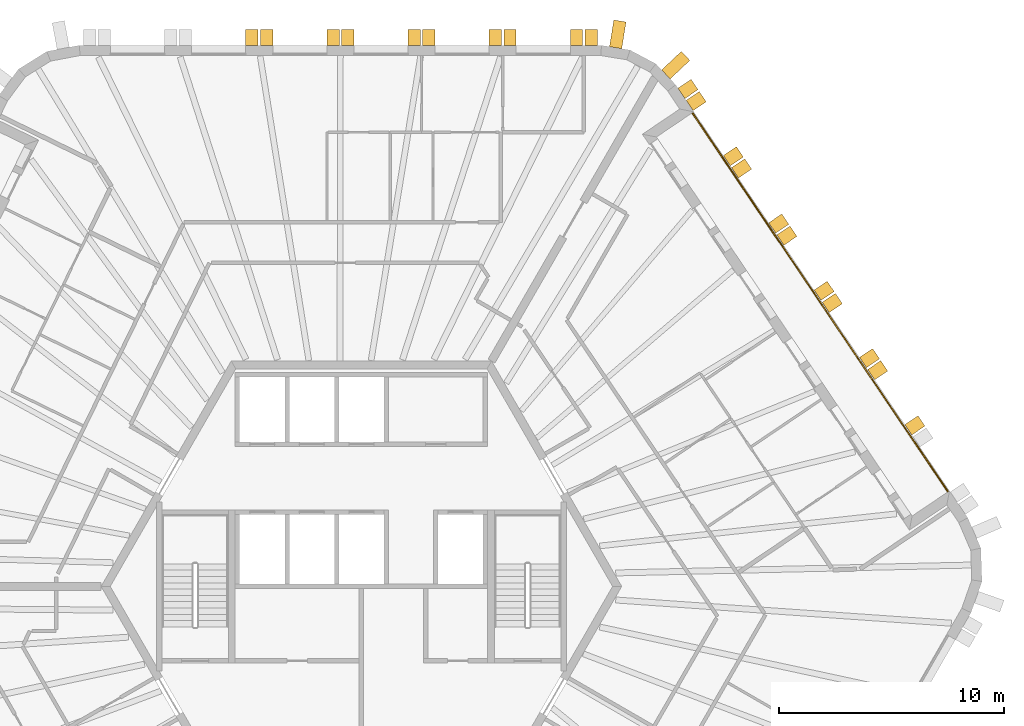
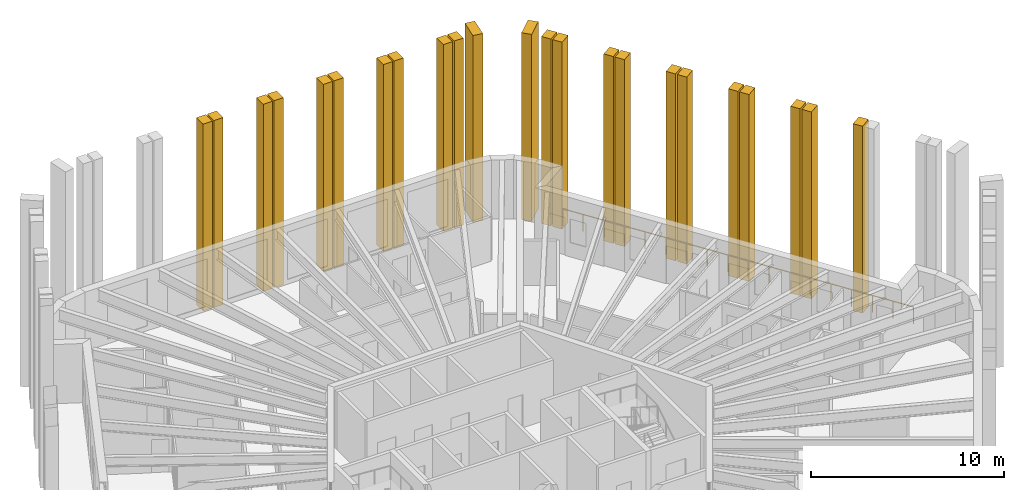
# One storey, part 12 of 12: 23 shading devices, 1 railing.
"""IFC4 building model written with IfcOpenShell, lengths in metres."""

from ifc_helpers import new_model, si_unit, direction, frame, origin, origin_2d, place, context, subcontext, project, spatial, polyline, circle, outline, extrude, material, layer, layer_set, type_object, element, save


model = new_model("IFC4")

# Units and contexts
model_context = context("Model", 3, precision=1e-05, world=origin(), true_north=direction((0.0, 1.0)))
body_context = subcontext(model_context, "Body", "Model", "MODEL_VIEW")
ifc_project = project(units=[si_unit("LENGTHUNIT", "METRE"), si_unit("AREAUNIT", "SQUARE_METRE"), si_unit("VOLUMEUNIT", "CUBIC_METRE"), si_unit("PLANEANGLEUNIT", "RADIAN"), si_unit("MASSUNIT", "GRAM", prefix="KILO")], contexts=[model_context])

# Site, building, storey
site_placement = place(None, origin())
site = spatial("IfcSite", under=ifc_project, at=site_placement, CompositionType="ELEMENT")
building_placement = place(site_placement, origin())
building = spatial("IfcBuilding", under=site, at=building_placement, Name="Tarnside Tower", CompositionType="ELEMENT")
storey_placement = place(building_placement, frame((0.0, 0.0, 349.5)))
storey = spatial("IfcBuildingStorey", under=building, at=storey_placement, Name="L84", CompositionType="ELEMENT", Elevation=349.5)

# Railing
ifc_material_1 = material(Name="Toughened glass", Category="glass")
railing_type = type_object("IfcRailingType", Name="Glass guard 1100", PredefinedType="GUARDRAIL", material=ifc_material_1)
railing_placement = place(storey_placement, frame((26.022216796875, 4.196533203125, 0.0)))
element("IfcRailing", 1, at=railing_placement, inside=storey, type_object=railing_type, Name="Loggia guard L84 F6", PredefinedType="GUARDRAIL", context=body_context, shape_type="SweptSolid", body=[
    extrude(circle(Radius=0.030029296875, at=origin_2d()), frame((0.0, 0.0, 1.070068359375), z_axis=(-0.559192274164, 0.829037997028, 0.0), x_axis=(-0.829037997028, -0.559192274164, 0.0)), (0.0, 0.0, 1.0), 20.281494140625),
    extrude(circle(Radius=0.02490234375, at=origin_2d()), origin(), (0.0, 0.0, 1.0), 1.0400390625),
    extrude(circle(Radius=0.02490234375, at=origin_2d()), frame((-0.667236328125, 0.989013671875, 0.0)), (0.0, 0.0, 1.0), 1.0400390625),
    extrude(circle(Radius=0.02490234375, at=origin_2d()), frame((-1.334228515625, 1.97802734375, 0.0)), (0.0, 0.0, 1.0), 1.0400390625),
    extrude(circle(Radius=0.02490234375, at=origin_2d()), frame((-2.00146484375, 2.96728515625, 0.0)), (0.0, 0.0, 1.0), 1.0400390625),
    extrude(circle(Radius=0.02490234375, at=origin_2d()), frame((-2.66845703125, 3.956298828125, 0.0)), (0.0, 0.0, 1.0), 1.0400390625),
    extrude(circle(Radius=0.02490234375, at=origin_2d()), frame((-3.335693359375, 4.9453125, 0.0)), (0.0, 0.0, 1.0), 1.0400390625),
    extrude(circle(Radius=0.02490234375, at=origin_2d()), frame((-4.0029296875, 5.934326171875, 0.0)), (0.0, 0.0, 1.0), 1.0400390625),
    extrude(circle(Radius=0.02490234375, at=origin_2d()), frame((-4.669921875, 6.923583984375, 0.0)), (0.0, 0.0, 1.0), 1.0400390625),
    extrude(circle(Radius=0.02490234375, at=origin_2d()), frame((-5.337158203125, 7.91259765625, 0.0)), (0.0, 0.0, 1.0), 1.0400390625),
    extrude(circle(Radius=0.02490234375, at=origin_2d()), frame((-6.004150390625, 8.901611328125, 0.0)), (0.0, 0.0, 1.0), 1.0400390625),
    extrude(circle(Radius=0.02490234375, at=origin_2d()), frame((-6.67138671875, 9.890625, 0.0)), (0.0, 0.0, 1.0), 1.0400390625),
    extrude(circle(Radius=0.02490234375, at=origin_2d()), frame((-7.33837890625, 10.8798828125, 0.0)), (0.0, 0.0, 1.0), 1.0400390625),
    extrude(circle(Radius=0.02490234375, at=origin_2d()), frame((-8.005615234375, 11.868896484375, 0.0)), (0.0, 0.0, 1.0), 1.0400390625),
    extrude(circle(Radius=0.02490234375, at=origin_2d()), frame((-8.6728515625, 12.85791015625, 0.0)), (0.0, 0.0, 1.0), 1.0400390625),
    extrude(circle(Radius=0.02490234375, at=origin_2d()), frame((-9.33984375, 13.846923828125, 0.0)), (0.0, 0.0, 1.0), 1.0400390625),
    extrude(circle(Radius=0.02490234375, at=origin_2d()), frame((-10.007080078125, 14.836181640625, 0.0)), (0.0, 0.0, 1.0), 1.0400390625),
    extrude(circle(Radius=0.02490234375, at=origin_2d()), frame((-10.674072265625, 15.8251953125, 0.0)), (0.0, 0.0, 1.0), 1.0400390625),
    extrude(circle(Radius=0.02490234375, at=origin_2d()), frame((-11.34130859375, 16.814208984375, 0.0)), (0.0, 0.0, 1.0), 1.0400390625),
])

# Shading devices
ifc_material_2 = material(Name="Concrete C50/60 white precast", Category="concrete")
ifc_layer_1 = layer(ifc_material_2, 0.550048828125)
ifc_layer_set_1 = layer_set([ifc_layer_1], Name="Precast fin 550 x 1200")
shading_device_type_1 = type_object("IfcShadingDeviceType", Name="Precast fin 550 x 1200", PredefinedType="USERDEFINED", material=ifc_layer_set_1)
for number, where, z_axis, x_axis, name in (
    (2, (13.50732421875, 22.710693359375, -0.300048828125), (0.686241637865, -0.727373641577, 0.0), (0.727373641577, 0.686241637865, 0.0), "Precast fin"),
    (3, (11.27490234375, 23.897705078125, -0.300048828125), (0.986761532114, -0.1621779231, 0.0), (0.1621779231, 0.986761532114, 0.0), "Precast fin"),
):
    element("IfcShadingDevice", number, at=place(storey_placement, frame(where, z_axis=z_axis, x_axis=x_axis)), inside=storey, type_object=shading_device_type_1, Name=name, ObjectType="FIN", PredefinedType="USERDEFINED", context=body_context, shape_type="SweptSolid", body=[
        extrude(outline(polyline([(0.0, 0.0), (1.199951171875, 0.0), (1.199951171875, 11.85009765625), (0.0, 11.85009765625), (0.0, 0.0)])), frame((0.0, 0.0, -0.27490234375)), (0.0, 0.0, 1.0), 0.550048828125),
    ])
ifc_layer_2 = layer(ifc_material_2, 0.550048828125)
ifc_layer_set_2 = layer_set([ifc_layer_2], Name="Precast fin 550 x 700")
shading_device_type_2 = type_object("IfcShadingDeviceType", Name="Precast fin 550 x 700", PredefinedType="USERDEFINED", material=ifc_layer_set_2)
for number, where, z_axis, x_axis, name in (
    (4, (10.193359375, 24.0, -0.300048828125), (1.0, 0.0, 0.0), (0.0, 1.0, 0.0), "Precast fin"),
    (5, (9.54345703125, 24.0, -0.300048828125), (1.0, 0.0, 0.0), (0.0, 1.0, 0.0), "Precast fin"),
    (6, (6.593505859375, 24.0, -0.300048828125), (1.0, 0.0, 0.0), (0.0, 1.0, 0.0), "Precast fin"),
    (7, (5.943359375, 24.0, -0.300048828125), (1.0, 0.0, 0.0), (0.0, 1.0, 0.0), "Precast fin"),
    (8, (2.993408203125, 24.0, -0.300048828125), (1.0, 0.0, 0.0), (0.0, 1.0, 0.0), "Precast fin"),
    (9, (2.343505859375, 24.0, -0.300048828125), (1.0, 0.0, 0.0), (0.0, 1.0, 0.0), "Precast fin"),
    (10, (-0.606689453125, 24.0, -0.300048828125), (1.0, 0.0, 0.0), (0.0, 1.0, 0.0), "Precast fin"),
    (11, (-1.256591796875, 24.0, -0.300048828125), (1.0, 0.0, 0.0), (0.0, 1.0, 0.0), "Precast fin"),
    (12, (-4.20654296875, 24.0, -0.300048828125), (1.0, 0.0, 0.0), (0.0, 1.0, 0.0), "Precast fin"),
    (13, (-4.856689453125, 24.0, -0.300048828125), (1.0, 0.0, 0.0), (0.0, 1.0, 0.0), "Precast fin"),
    (14, (24.26220703125, 6.94873046875, -0.300048828125), (0.559192903471, -0.829037572555, 0.0), (0.829037572555, 0.559192903471, 0.0), "Precast fin"),
    (15, (22.612548828125, 9.394287109375, -0.300048828125), (0.559192903471, -0.829037572555, 0.0), (0.829037572555, 0.559192903471, 0.0), "Precast fin"),
    (16, (22.249267578125, 9.93310546875, -0.300048828125), (0.559192903471, -0.829037572555, 0.0), (0.829037572555, 0.559192903471, 0.0), "Precast fin"),
    (17, (20.599609375, 12.37890625, -0.300048828125), (0.559192903471, -0.829037572555, 0.0), (0.829037572555, 0.559192903471, 0.0), "Precast fin"),
    (18, (20.236083984375, 12.917724609375, -0.300048828125), (0.559192903471, -0.829037572555, 0.0), (0.829037572555, 0.559192903471, 0.0), "Precast fin"),
    (19, (18.58642578125, 15.363525390625, -0.300048828125), (0.559192903471, -0.829037572555, 0.0), (0.829037572555, 0.559192903471, 0.0), "Precast fin"),
    (20, (18.222900390625, 15.90234375, -0.300048828125), (0.559192903471, -0.829037572555, 0.0), (0.829037572555, 0.559192903471, 0.0), "Precast fin"),
    (21, (16.573486328125, 18.347900390625, -0.300048828125), (0.559192903471, -0.829037572555, 0.0), (0.829037572555, 0.559192903471, 0.0), "Precast fin"),
    (22, (16.2099609375, 18.88671875, -0.300048828125), (0.559192903471, -0.829037572555, 0.0), (0.829037572555, 0.559192903471, 0.0), "Precast fin"),
    (23, (14.560302734375, 21.33251953125, -0.300048828125), (0.559192903471, -0.829037572555, 0.0), (0.829037572555, 0.559192903471, 0.0), "Precast fin"),
    (24, (14.19677734375, 21.871337890625, -0.300048828125), (0.559192903471, -0.829037572555, 0.0), (0.829037572555, 0.559192903471, 0.0), "Precast fin"),
):
    element("IfcShadingDevice", number, at=place(storey_placement, frame(where, z_axis=z_axis, x_axis=x_axis)), inside=storey, type_object=shading_device_type_2, Name=name, ObjectType="FIN", PredefinedType="USERDEFINED", context=body_context, shape_type="SweptSolid", body=[
        extrude(outline(polyline([(0.0, 0.0), (0.699951171875, 0.0), (0.699951171875, 11.85009765625), (0.0, 11.85009765625), (0.0, 0.0)])), frame((0.0, 0.0, -0.27490234375)), (0.0, 0.0, 1.0), 0.550048828125),
    ])

save(model, "model.ifc")
